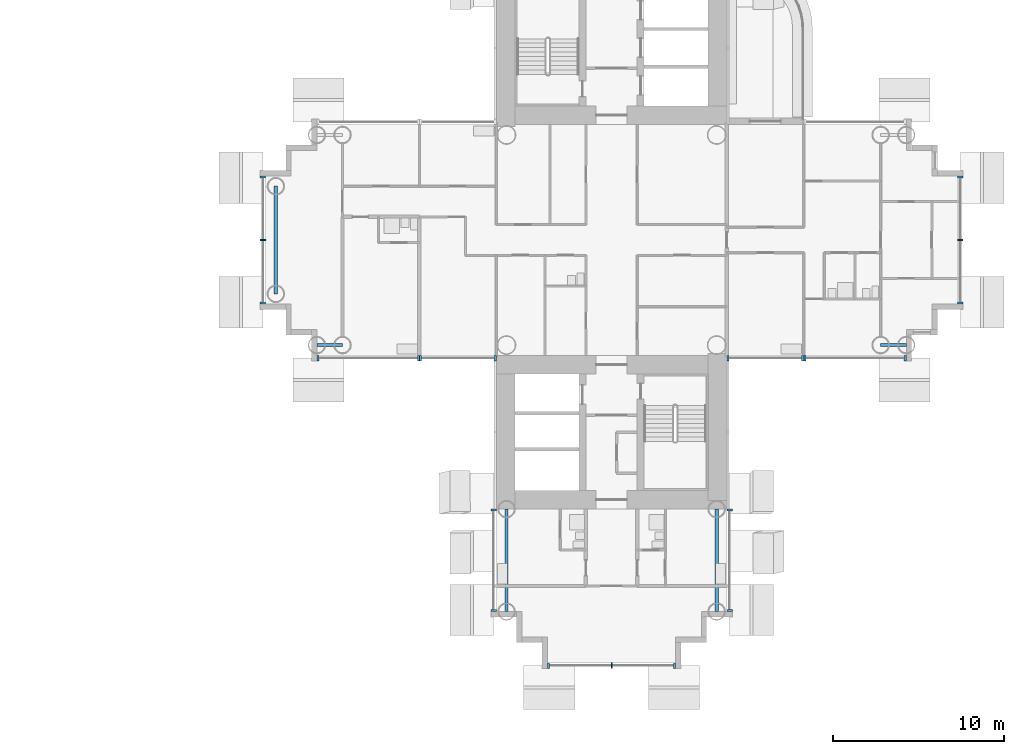
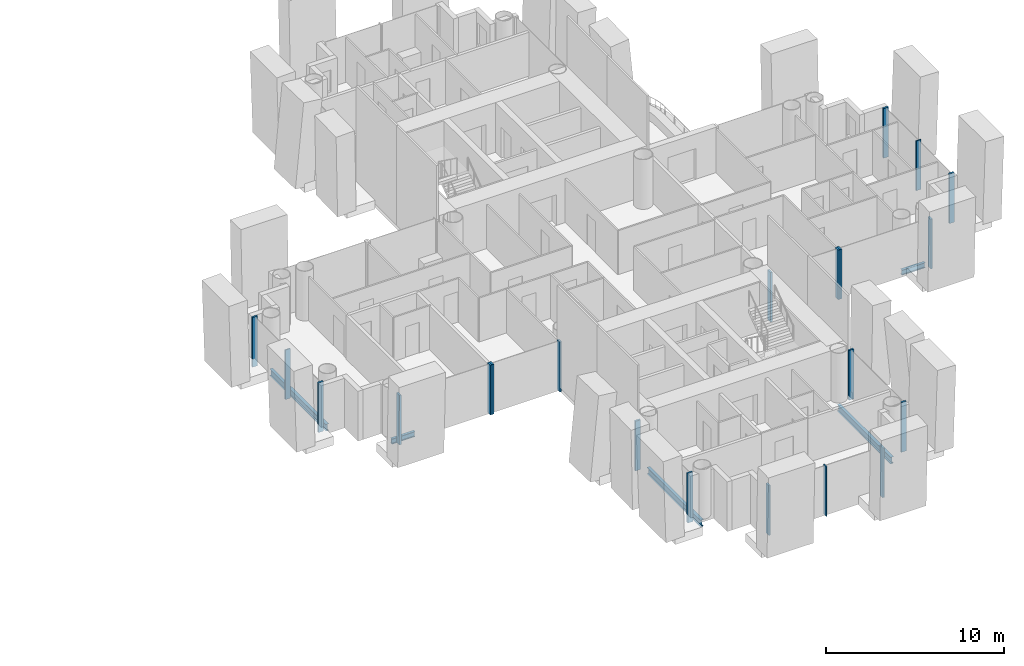
# One storey, part 6 of 25: 21 members, 5 beams, 9 elements without a shape of their own.
"""IFC4 building model written with IfcOpenShell, lengths in metres."""

from ifc_helpers import new_model, si_unit, direction, frame, origin, origin_2d, place, context, subcontext, project, spatial, rectangle, i_section, extrude, material, layer, layer_set, material_profile, profile_set, type_object, element, aggregate, save


model = new_model("IFC4")

# Units and contexts
model_context = context("Model", 3, precision=1e-05, world=origin(), true_north=direction((0.0, 1.0)))
body_context = subcontext(model_context, "Body", "Model", "MODEL_VIEW")
ifc_project = project(units=[si_unit("LENGTHUNIT", "METRE"), si_unit("AREAUNIT", "SQUARE_METRE"), si_unit("VOLUMEUNIT", "CUBIC_METRE"), si_unit("PLANEANGLEUNIT", "RADIAN"), si_unit("MASSUNIT", "GRAM", prefix="KILO")], contexts=[model_context])

# Site, building, storey
site_placement = place(None, origin())
site = spatial("IfcSite", under=ifc_project, at=site_placement, CompositionType="ELEMENT")
building_placement = place(site_placement, origin())
building = spatial("IfcBuilding", under=site, at=building_placement, Name="Ipe Terrace Towers", CompositionType="ELEMENT")
storey_placement = place(building_placement, frame((0.0, 0.0, 65.300048828125)))
storey = spatial("IfcBuildingStorey", under=building, at=storey_placement, Name="L17", CompositionType="ELEMENT", Elevation=65.300048828125)

# Beams
ifc_material_1 = material(Name="Steel S355", Category="steel")
ifc_material_profile_1 = material_profile(ifc_material_1, i_section(OverallWidth=0.175048828125, OverallDepth=0.35009765625, WebThickness=0.007080078125, FlangeThickness=0.010986328125, at=origin_2d()), Name="H-350x175x7x11")
ifc_profile_set_1 = profile_set([ifc_material_profile_1], Name="Steel S355")
beam_type_1 = type_object("IfcBeamType", Name="H04 EDGE BEAM H-350x175x7x11", PredefinedType="BEAM", material=ifc_profile_set_1)
for number, where, z_axis, x_axis, name in (
    (1, (20.25, -6.14990234375, -0.574951171875), (-1.0, 0.0, 0.0), (0.0, -1.0, 0.0), "Edge beam T2-EB-B04-B06"),
    (2, (51.75, -6.14990234375, -0.574951171875), (1.0, 0.0, 0.0), (0.0, 1.0, 0.0), "Edge beam T2-EB-D03-D05"),
):
    element("IfcBeam", number, at=place(storey_placement, frame(where, z_axis=z_axis, x_axis=x_axis)), inside=storey, type_object=beam_type_1, Name=name, PredefinedType="BEAM", context=body_context, shape_type="SweptSolid", body=[
        extrude(i_section(OverallWidth=0.175048828125, OverallDepth=0.35009765625, WebThickness=0.007080078125, FlangeThickness=0.010986328125, at=origin_2d()), origin(), (0.0, 0.0, 1.0), 1.5),
    ])
ifc_material_2 = material(Name="Steel S355", Category="steel")
ifc_material_profile_2 = material_profile(ifc_material_2, i_section(OverallWidth=0.199951171875, OverallDepth=0.449951171875, WebThickness=0.009033203125, FlangeThickness=0.013916015625, at=origin_2d()), Name="H-450x200x9x14")
ifc_profile_set_2 = profile_set([ifc_material_profile_2], Name="Steel S355")
beam_type_2 = type_object("IfcBeamType", Name="H08 EDGE BEAM H-450x200x9x14", PredefinedType="BEAM", material=ifc_profile_set_2)
beam_placement = place(storey_placement, frame((16.35009765625, 3.14990234375, -0.625), z_axis=(0.0, -1.0, 0.0), x_axis=(1.0, 0.0, 0.0)))
element("IfcBeam", 3, at=beam_placement, inside=storey, type_object=beam_type_2, Name="Edge beam T2-EB-B07-B08", PredefinedType="BEAM", context=body_context, shape_type="SweptSolid", body=[
    extrude(i_section(OverallWidth=0.199951171875, OverallDepth=0.449951171875, WebThickness=0.009033203125, FlangeThickness=0.013916015625, at=origin_2d()), origin(), (0.0, 0.0, 1.0), 6.2998046875),
])
for number, where, z_axis, x_axis, name in (
    (4, (42.14990234375, -15.75, -0.625), (0.0, -1.0, 0.0), (1.0, 0.0, 0.0), "Edge beam T2-EB-C01-C03"),
    (5, (29.85009765625, -15.75, -0.625), (0.0, -1.0, 0.0), (1.0, 0.0, 0.0), "Edge beam T2-EB-C02-C04"),
):
    element("IfcBeam", number, at=place(storey_placement, frame(where, z_axis=z_axis, x_axis=x_axis)), inside=storey, type_object=beam_type_2, Name=name, PredefinedType="BEAM", context=body_context, shape_type="SweptSolid", body=[
        extrude(i_section(OverallWidth=0.199951171875, OverallDepth=0.449951171875, WebThickness=0.009033203125, FlangeThickness=0.013916015625, at=origin_2d()), origin(), (0.0, 0.0, 1.0), 6.0),
    ])

# Curtain wall, members
ifc_material_3 = material(Name="Aluminium alloy 6063-T6", Category="aluminium")
ifc_layer = layer(ifc_material_3, 0.320068359375)
ifc_layer_set = layer_set([ifc_layer], Name="TOWER UNITISED CURTAIN WALL")
curtain_wall_type = type_object("IfcCurtainWallType", Name="TOWER UNITISED CURTAIN WALL", PredefinedType="NOTDEFINED", material=ifc_layer_set)
curtain_wall_1_placement = place(storey_placement, origin())
curtain_wall_1 = element("IfcCurtainWall", 6, at=curtain_wall_1_placement, inside=storey, type_object=curtain_wall_type, Name="T2-CW-L17-04a curtain wall", PredefinedType="NOTDEFINED")
ifc_material_4 = material(Name="Aluminium alloy 6063-T6", Category="aluminium")
ifc_material_profile_3 = material_profile(ifc_material_4, rectangle(XDim=0.320068359375, YDim=0.1201171875, at=origin_2d()), Name="TOWER UNITISED CORNER MULLION 320 x 120")
ifc_profile_set_3 = profile_set([ifc_material_profile_3], Name="Aluminium alloy 6063-T6")
member_type_1 = type_object("IfcMemberType", Name="TOWER UNITISED CORNER MULLION 320 x 120", PredefinedType="MULLION", material=ifc_profile_set_3)
member_1_placement = place(storey_placement, frame((42.909912109375, -21.68994140625, -0.300048828125), z_axis=(0.0, 0.0, 1.0), x_axis=(1.0, 0.0, 0.0)))
member_1 = element("IfcMember", 7, at=member_1_placement, type_object=member_type_1, Name="T2-CW-L17-04a mullion 1", PredefinedType="MULLION", context=body_context, shape_type="SweptSolid", body=[
    extrude(rectangle(XDim=0.320068359375, YDim=0.1201171875, at=origin_2d()), origin(), (0.0, 0.0, 1.0), 3.39990234375),
])
member_2_placement = place(storey_placement, frame((42.909912109375, -15.81103515625, -0.300048828125), z_axis=(0.0, 0.0, 1.0), x_axis=(1.0, 0.0, 0.0)))
member_2 = element("IfcMember", 8, at=member_2_placement, type_object=member_type_1, Name="T2-CW-L17-04a mullion 2", PredefinedType="MULLION", context=body_context, shape_type="SweptSolid", body=[
    extrude(rectangle(XDim=0.320068359375, YDim=0.1201171875, at=origin_2d()), origin(), (0.0, 0.0, 1.0), 3.39990234375),
])
aggregate(curtain_wall_1, [member_1, member_2])

curtain_wall_2_placement = place(storey_placement, origin())
curtain_wall_2 = element("IfcCurtainWall", 9, at=curtain_wall_2_placement, inside=storey, type_object=curtain_wall_type, Name="T2-CW-L17-06a curtain wall", PredefinedType="NOTDEFINED")
member_3_placement = place(storey_placement, frame((42.81005859375, -6.909912109375, -0.300048828125), z_axis=(0.0, 0.0, 1.0), x_axis=(0.0, -1.0, 0.0)))
member_3 = element("IfcMember", 10, at=member_3_placement, type_object=member_type_1, Name="T2-CW-L17-06a mullion 1", PredefinedType="MULLION", context=body_context, shape_type="SweptSolid", body=[
    extrude(rectangle(XDim=0.320068359375, YDim=0.1201171875, at=origin_2d()), origin(), (0.0, 0.0, 1.0), 3.39990234375),
])
member_4_placement = place(storey_placement, frame((47.18994140625, -6.909912109375, -0.300048828125), z_axis=(0.0, 0.0, 1.0), x_axis=(0.0, -1.0, 0.0)))
member_4 = element("IfcMember", 11, at=member_4_placement, type_object=member_type_1, Name="T2-CW-L17-06a mullion 2", PredefinedType="MULLION", context=body_context, shape_type="SweptSolid", body=[
    extrude(rectangle(XDim=0.320068359375, YDim=0.1201171875, at=origin_2d()), origin(), (0.0, 0.0, 1.0), 3.39990234375),
])
aggregate(curtain_wall_2, [member_3, member_4])

curtain_wall_3_placement = place(storey_placement, origin())
curtain_wall_3 = element("IfcCurtainWall", 12, at=curtain_wall_3_placement, inside=storey, type_object=curtain_wall_type, Name="T2-CW-L17-07a curtain wall", PredefinedType="NOTDEFINED")
member_5_placement = place(storey_placement, frame((47.31005859375, -6.909912109375, -0.300048828125), z_axis=(0.0, 0.0, 1.0), x_axis=(0.0, -1.0, 0.0)))
member_5 = element("IfcMember", 13, at=member_5_placement, type_object=member_type_1, Name="T2-CW-L17-07a mullion 1", PredefinedType="MULLION", context=body_context, shape_type="SweptSolid", body=[
    extrude(rectangle(XDim=0.320068359375, YDim=0.1201171875, at=origin_2d()), origin(), (0.0, 0.0, 1.0), 3.39990234375),
])
member_6_placement = place(storey_placement, frame((53.18994140625, -6.909912109375, -0.300048828125), z_axis=(0.0, 0.0, 1.0), x_axis=(0.0, -1.0, 0.0)))
member_6 = element("IfcMember", 14, at=member_6_placement, type_object=member_type_1, Name="T2-CW-L17-07a mullion 2", PredefinedType="MULLION", context=body_context, shape_type="SweptSolid", body=[
    extrude(rectangle(XDim=0.320068359375, YDim=0.1201171875, at=origin_2d()), origin(), (0.0, 0.0, 1.0), 3.39990234375),
])
aggregate(curtain_wall_3, [member_5, member_6])

curtain_wall_4_placement = place(storey_placement, origin())
curtain_wall_4 = element("IfcCurtainWall", 15, at=curtain_wall_4_placement, inside=storey, type_object=curtain_wall_type, Name="T2-CW-L17-12a curtain wall", PredefinedType="NOTDEFINED")
member_7_placement = place(storey_placement, frame((56.409912109375, -3.68994140625, -0.300048828125), z_axis=(0.0, 0.0, 1.0), x_axis=(1.0, 0.0, 0.0)))
member_7 = element("IfcMember", 16, at=member_7_placement, type_object=member_type_1, Name="T2-CW-L17-12a mullion 1", PredefinedType="MULLION", context=body_context, shape_type="SweptSolid", body=[
    extrude(rectangle(XDim=0.320068359375, YDim=0.1201171875, at=origin_2d()), origin(), (0.0, 0.0, 1.0), 3.39990234375),
])
member_8_placement = place(storey_placement, frame((56.409912109375, 3.68994140625, -0.300048828125), z_axis=(0.0, 0.0, 1.0), x_axis=(1.0, 0.0, 0.0)))
member_8 = element("IfcMember", 17, at=member_8_placement, type_object=member_type_1, Name="T2-CW-L17-12a mullion 3", PredefinedType="MULLION", context=body_context, shape_type="SweptSolid", body=[
    extrude(rectangle(XDim=0.320068359375, YDim=0.1201171875, at=origin_2d()), origin(), (0.0, 0.0, 1.0), 3.39990234375),
])

curtain_wall_5_placement = place(storey_placement, origin())
curtain_wall_5 = element("IfcCurtainWall", 18, at=curtain_wall_5_placement, inside=storey, type_object=curtain_wall_type, Name="T2-CW-L17-38a curtain wall", PredefinedType="NOTDEFINED")
member_9_placement = place(storey_placement, frame((15.590087890625, 3.68994140625, -0.300048828125), z_axis=(0.0, 0.0, 1.0), x_axis=(-1.0, 0.0, 0.0)))
member_9 = element("IfcMember", 19, at=member_9_placement, type_object=member_type_1, Name="T2-CW-L17-38a mullion 1", PredefinedType="MULLION", context=body_context, shape_type="SweptSolid", body=[
    extrude(rectangle(XDim=0.320068359375, YDim=0.1201171875, at=origin_2d()), origin(), (0.0, 0.0, 1.0), 3.39990234375),
])
member_10_placement = place(storey_placement, frame((15.590087890625, -3.68994140625, -0.300048828125), z_axis=(0.0, 0.0, 1.0), x_axis=(-1.0, 0.0, 0.0)))
member_10 = element("IfcMember", 20, at=member_10_placement, type_object=member_type_1, Name="T2-CW-L17-38a mullion 3", PredefinedType="MULLION", context=body_context, shape_type="SweptSolid", body=[
    extrude(rectangle(XDim=0.320068359375, YDim=0.1201171875, at=origin_2d()), origin(), (0.0, 0.0, 1.0), 3.39990234375),
])

curtain_wall_6_placement = place(storey_placement, origin())
curtain_wall_6 = element("IfcCurtainWall", 21, at=curtain_wall_6_placement, inside=storey, type_object=curtain_wall_type, Name="T2-CW-L17-43a curtain wall", PredefinedType="NOTDEFINED")
member_11_placement = place(storey_placement, frame((18.81005859375, -6.909912109375, -0.300048828125), z_axis=(0.0, 0.0, 1.0), x_axis=(0.0, -1.0, 0.0)))
member_11 = element("IfcMember", 22, at=member_11_placement, type_object=member_type_1, Name="T2-CW-L17-43a mullion 1", PredefinedType="MULLION", context=body_context, shape_type="SweptSolid", body=[
    extrude(rectangle(XDim=0.320068359375, YDim=0.1201171875, at=origin_2d()), origin(), (0.0, 0.0, 1.0), 3.39990234375),
])
member_12_placement = place(storey_placement, frame((24.68994140625, -6.909912109375, -0.300048828125), z_axis=(0.0, 0.0, 1.0), x_axis=(0.0, -1.0, 0.0)))
member_12 = element("IfcMember", 23, at=member_12_placement, type_object=member_type_1, Name="T2-CW-L17-43a mullion 2", PredefinedType="MULLION", context=body_context, shape_type="SweptSolid", body=[
    extrude(rectangle(XDim=0.320068359375, YDim=0.1201171875, at=origin_2d()), origin(), (0.0, 0.0, 1.0), 3.39990234375),
])
aggregate(curtain_wall_6, [member_11, member_12])

curtain_wall_7_placement = place(storey_placement, origin())
curtain_wall_7 = element("IfcCurtainWall", 24, at=curtain_wall_7_placement, inside=storey, type_object=curtain_wall_type, Name="T2-CW-L17-44a curtain wall", PredefinedType="NOTDEFINED")
member_13_placement = place(storey_placement, frame((24.81005859375, -6.909912109375, -0.300048828125), z_axis=(0.0, 0.0, 1.0), x_axis=(0.0, -1.0, 0.0)))
member_13 = element("IfcMember", 25, at=member_13_placement, type_object=member_type_1, Name="T2-CW-L17-44a mullion 1", PredefinedType="MULLION", context=body_context, shape_type="SweptSolid", body=[
    extrude(rectangle(XDim=0.320068359375, YDim=0.1201171875, at=origin_2d()), origin(), (0.0, 0.0, 1.0), 3.39990234375),
])
member_14_placement = place(storey_placement, frame((29.18994140625, -6.909912109375, -0.300048828125), z_axis=(0.0, 0.0, 1.0), x_axis=(0.0, -1.0, 0.0)))
member_14 = element("IfcMember", 26, at=member_14_placement, type_object=member_type_1, Name="T2-CW-L17-44a mullion 2", PredefinedType="MULLION", context=body_context, shape_type="SweptSolid", body=[
    extrude(rectangle(XDim=0.320068359375, YDim=0.1201171875, at=origin_2d()), origin(), (0.0, 0.0, 1.0), 3.39990234375),
])
aggregate(curtain_wall_7, [member_13, member_14])

curtain_wall_8_placement = place(storey_placement, origin())
curtain_wall_8 = element("IfcCurtainWall", 27, at=curtain_wall_8_placement, inside=storey, type_object=curtain_wall_type, Name="T2-CW-L17-46b curtain wall", PredefinedType="NOTDEFINED")
member_15_placement = place(storey_placement, frame((29.090087890625, -15.81103515625, -0.300048828125), z_axis=(0.0, 0.0, 1.0), x_axis=(-1.0, 0.0, 0.0)))
member_15 = element("IfcMember", 28, at=member_15_placement, type_object=member_type_1, Name="T2-CW-L17-46b mullion 1", PredefinedType="MULLION", context=body_context, shape_type="SweptSolid", body=[
    extrude(rectangle(XDim=0.320068359375, YDim=0.1201171875, at=origin_2d()), origin(), (0.0, 0.0, 1.0), 3.39990234375),
])
member_16_placement = place(storey_placement, frame((29.090087890625, -21.68994140625, -0.300048828125), z_axis=(0.0, 0.0, 1.0), x_axis=(-1.0, 0.0, 0.0)))
member_16 = element("IfcMember", 29, at=member_16_placement, type_object=member_type_1, Name="T2-CW-L17-46b mullion 2", PredefinedType="MULLION", context=body_context, shape_type="SweptSolid", body=[
    extrude(rectangle(XDim=0.320068359375, YDim=0.1201171875, at=origin_2d()), origin(), (0.0, 0.0, 1.0), 3.39990234375),
])
aggregate(curtain_wall_8, [member_15, member_16])

curtain_wall_9_placement = place(storey_placement, origin())
curtain_wall_9 = element("IfcCurtainWall", 30, at=curtain_wall_9_placement, inside=storey, type_object=curtain_wall_type, Name="T2-CW-L17-51a curtain wall", PredefinedType="NOTDEFINED")
member_17_placement = place(storey_placement, frame((32.31005859375, -24.909912109375, -0.300048828125), z_axis=(0.0, 0.0, 1.0), x_axis=(0.0, -1.0, 0.0)))
member_17 = element("IfcMember", 31, at=member_17_placement, type_object=member_type_1, Name="T2-CW-L17-51a mullion 1", PredefinedType="MULLION", context=body_context, shape_type="SweptSolid", body=[
    extrude(rectangle(XDim=0.320068359375, YDim=0.1201171875, at=origin_2d()), origin(), (0.0, 0.0, 1.0), 3.39990234375),
])
member_18_placement = place(storey_placement, frame((39.68994140625, -24.909912109375, -0.300048828125), z_axis=(0.0, 0.0, 1.0), x_axis=(0.0, -1.0, 0.0)))
member_18 = element("IfcMember", 32, at=member_18_placement, type_object=member_type_1, Name="T2-CW-L17-51a mullion 3", PredefinedType="MULLION", context=body_context, shape_type="SweptSolid", body=[
    extrude(rectangle(XDim=0.320068359375, YDim=0.1201171875, at=origin_2d()), origin(), (0.0, 0.0, 1.0), 3.39990234375),
])

# Member
ifc_material_5 = material(Name="Aluminium alloy 6063-T6", Category="aluminium")
ifc_material_profile_4 = material_profile(ifc_material_5, rectangle(XDim=0.320068359375, YDim=0.06494140625, at=origin_2d()), Name="TOWER UNITISED MULLION 320 x 65")
ifc_profile_set_4 = profile_set([ifc_material_profile_4], Name="Aluminium alloy 6063-T6")
member_type_2 = type_object("IfcMemberType", Name="TOWER UNITISED MULLION 320 x 65", PredefinedType="MULLION", material=ifc_profile_set_4)
member_19_placement = place(storey_placement, frame((56.409912109375, 0.0, -0.300048828125), z_axis=(0.0, 0.0, 1.0), x_axis=(1.0, 0.0, 0.0)))
member_19 = element("IfcMember", 33, at=member_19_placement, type_object=member_type_2, Name="T2-CW-L17-12a mullion 2", PredefinedType="MULLION", context=body_context, shape_type="SweptSolid", body=[
    extrude(rectangle(XDim=0.320068359375, YDim=0.06494140625, at=origin_2d()), origin(), (0.0, 0.0, 1.0), 3.39990234375),
])

aggregate(curtain_wall_4, [member_7, member_19, member_8])

member_20_placement = place(storey_placement, frame((15.590087890625, 0.0, -0.300048828125), z_axis=(0.0, 0.0, 1.0), x_axis=(-1.0, 0.0, 0.0)))
member_20 = element("IfcMember", 34, at=member_20_placement, type_object=member_type_2, Name="T2-CW-L17-38a mullion 2", PredefinedType="MULLION", context=body_context, shape_type="SweptSolid", body=[
    extrude(rectangle(XDim=0.320068359375, YDim=0.06494140625, at=origin_2d()), origin(), (0.0, 0.0, 1.0), 3.39990234375),
])

aggregate(curtain_wall_5, [member_9, member_20, member_10])

member_21_placement = place(storey_placement, frame((36.0, -24.909912109375, -0.300048828125), z_axis=(0.0, 0.0, 1.0), x_axis=(0.0, -1.0, 0.0)))
member_21 = element("IfcMember", 35, at=member_21_placement, type_object=member_type_2, Name="T2-CW-L17-51a mullion 2", PredefinedType="MULLION", context=body_context, shape_type="SweptSolid", body=[
    extrude(rectangle(XDim=0.320068359375, YDim=0.06494140625, at=origin_2d()), origin(), (0.0, 0.0, 1.0), 3.39990234375),
])

aggregate(curtain_wall_9, [member_17, member_21, member_18])

save(model, "model.ifc")
